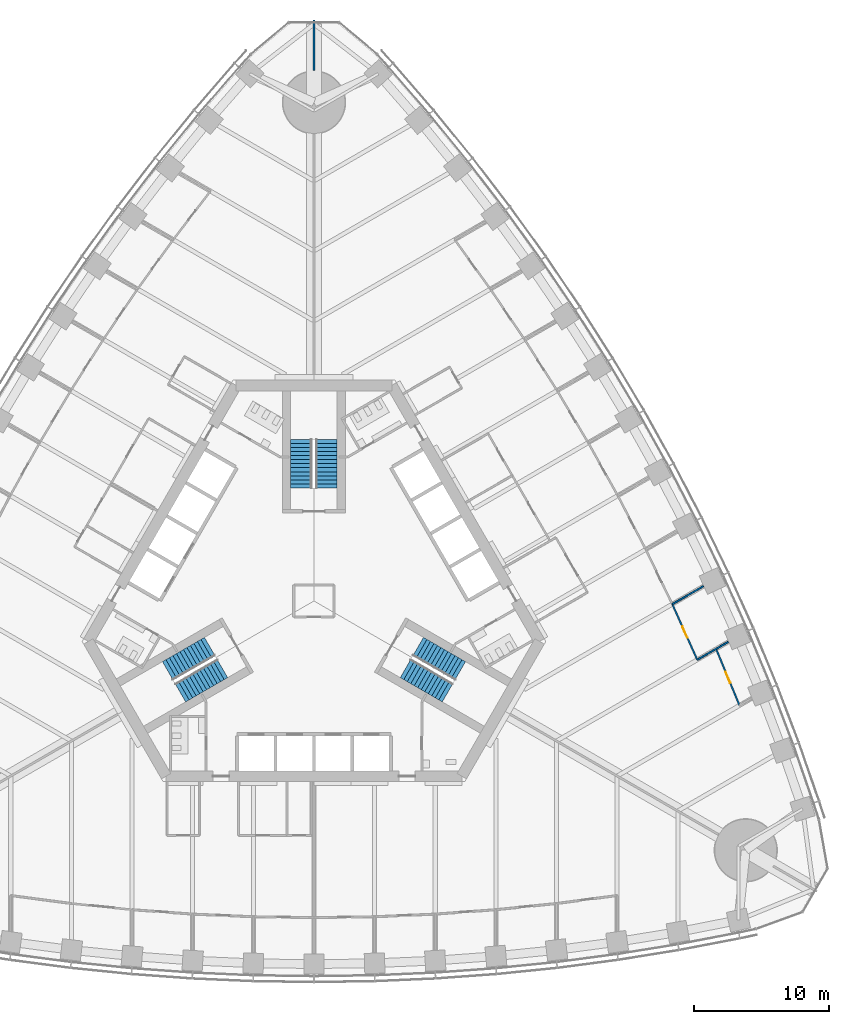
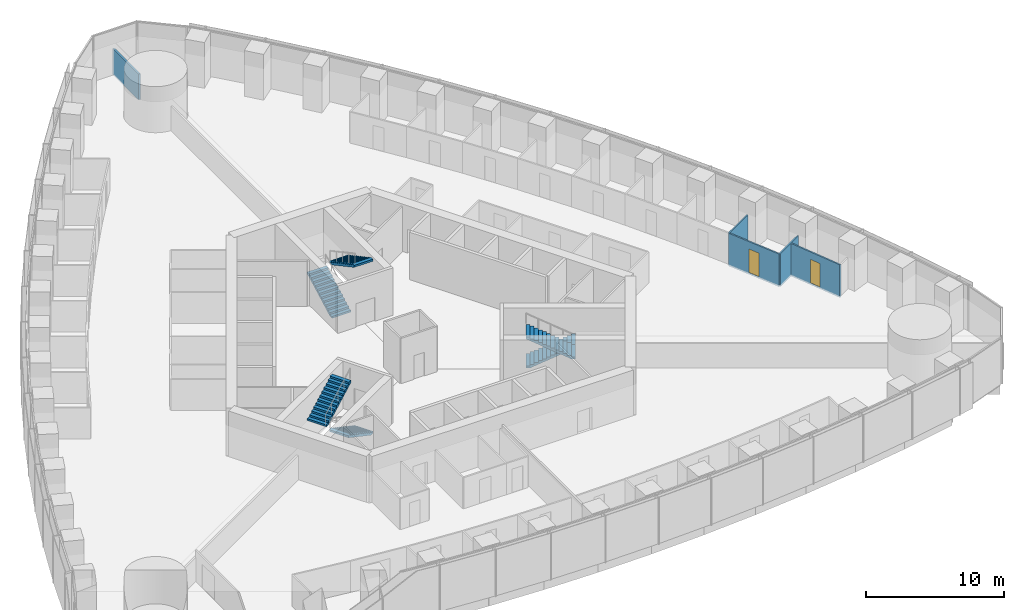
# One storey, part 14 of 19: 6 stair flights, 5 walls, 2 doors, 2 openings, 3 elements without a shape of their own.
"""IFC4 building model written with IfcOpenShell, lengths in metres."""

from ifc_helpers import new_model, si_unit, direction, frame, frame_2d, origin, place, context, subcontext, project, spatial, polyline, rectangle, outline, extrude, material, layer, layer_set, type_object, element, fill, aggregate, save


model = new_model("IFC4")

# Units and contexts
model_context = context("Model", 3, precision=1e-05, world=origin(), true_north=direction((0.0, 1.0)))
body_context = subcontext(model_context, "Body", "Model", "MODEL_VIEW")
ifc_project = project(units=[si_unit("LENGTHUNIT", "METRE"), si_unit("AREAUNIT", "SQUARE_METRE"), si_unit("VOLUMEUNIT", "CUBIC_METRE"), si_unit("PLANEANGLEUNIT", "RADIAN"), si_unit("MASSUNIT", "GRAM", prefix="KILO")], contexts=[model_context])

# Site, building, storey
site_placement = place(None, origin())
site = spatial("IfcSite", under=ifc_project, at=site_placement, CompositionType="ELEMENT")
building_placement = place(site_placement, origin())
building = spatial("IfcBuilding", under=site, at=building_placement, Name="Trefoil Bronze Tower", CompositionType="ELEMENT")
storey_placement = place(building_placement, frame((0.0, 0.0, 16.5)))
storey = spatial("IfcBuildingStorey", under=building, at=storey_placement, Name="L03", CompositionType="ELEMENT", Elevation=16.5)

# Wall, opening, door
ifc_material_1 = material(Name="Glazed partition", Category="glass")
ifc_layer_1 = layer(ifc_material_1, 0.1201171875)
ifc_layer_set_1 = layer_set([ifc_layer_1], Name="Glazed partition 120")
wall_type_1 = type_object("IfcWallType", Name="Glazed partition 120", PredefinedType="PARTITIONING", material=ifc_layer_set_1)
wall_1_placement = place(storey_placement, frame((28.44287109375, -4.363037109375, 0.0), z_axis=(0.0, 0.0, 1.0), x_axis=(-0.409495979977, 0.912311921649, 0.0)))
wall_1 = element("IfcWall", 1, at=wall_1_placement, inside=storey, type_object=wall_type_1, Name="Partition F2 L03", PredefinedType="PARTITIONING", context=body_context, shape_type="SweptSolid", body=[
    extrude(rectangle(XDim=4.5234375, YDim=0.1201171875, at=frame_2d((2.26171875, 0.0))), origin(), (0.0, 0.0, 1.0), 2.89990234375),
])
opening_1_placement = place(wall_1_placement, frame((1.800048828125, 0.0, 0.14990234375)))
opening_1 = element("IfcOpeningElement", 2, at=opening_1_placement, cuts=wall_1, Name="Opening D8", PredefinedType="OPENING", context=body_context, shape_type="SweptSolid", body=[
    extrude(rectangle(XDim=0.89990234375, YDim=2.10009765625, at=frame_2d((0.449951171875, 1.050048828125))), frame((0.0, 0.070068359375, 0.0), z_axis=(0.0, -1.0, 0.0), x_axis=(1.0, 0.0, 0.0)), (0.0, 0.0, 1.0), 0.14013671875),
])
ifc_material_2 = material(Name="Timber door", Category="wood")
door_type = type_object("IfcDoorType", Name="Office door 900", OperationType="SINGLE_SWING_LEFT", PredefinedType="DOOR", material=ifc_material_2)
door_1_placement = place(opening_1_placement, frame((0.89990234375, 0.0, 0.0), z_axis=(0.0, 0.0, 1.0), x_axis=(-1.0, 0.0, 0.0)))
door_1 = element("IfcDoor", 3, at=door_1_placement, inside=storey, type_object=door_type, Name="Office door F2 L03", OperationType="SINGLE_SWING_RIGHT", OverallHeight=2.10009765625, OverallWidth=0.89990234375, PredefinedType="DOOR", context=body_context, shape_type="SweptSolid", body=[
    extrude(rectangle(XDim=0.89990234375, YDim=2.10009765625, at=frame_2d((0.449951171875, 1.050048828125))), frame((0.0, 0.02490234375, 0.0), z_axis=(0.0, -1.0, 0.0), x_axis=(1.0, 0.0, 0.0)), (0.0, 0.0, 1.0), 0.050048828125),
])
fill(opening_1, door_1)

wall_2_placement = place(storey_placement, frame((31.578125, -7.7490234375, 0.0), z_axis=(0.0, 0.0, 1.0), x_axis=(-0.38265900014, 0.923889652292, 0.0)))
wall_2 = element("IfcWall", 4, at=wall_2_placement, inside=storey, type_object=wall_type_1, Name="Partition F2 L03", PredefinedType="PARTITIONING", context=body_context, shape_type="SweptSolid", body=[
    extrude(rectangle(XDim=4.538818359375, YDim=0.1201171875, at=frame_2d((2.26953125, 0.0))), origin(), (0.0, 0.0, 1.0), 2.89990234375),
])
opening_2_placement = place(wall_2_placement, frame((1.800048828125, 0.0, 0.14990234375)))
opening_2 = element("IfcOpeningElement", 5, at=opening_2_placement, cuts=wall_2, Name="Opening D8", PredefinedType="OPENING", context=body_context, shape_type="SweptSolid", body=[
    extrude(rectangle(XDim=0.89990234375, YDim=2.10009765625, at=frame_2d((0.449951171875, 1.050048828125))), frame((0.0, 0.070068359375, 0.0), z_axis=(0.0, -1.0, 0.0), x_axis=(1.0, 0.0, 0.0)), (0.0, 0.0, 1.0), 0.14013671875),
])
door_2_placement = place(opening_2_placement, frame((0.89990234375, 0.0, 0.0), z_axis=(0.0, 0.0, 1.0), x_axis=(-1.0, 0.0, 0.0)))
door_2 = element("IfcDoor", 6, at=door_2_placement, inside=storey, type_object=door_type, Name="Comms room door F2 L03", OperationType="SINGLE_SWING_RIGHT", OverallHeight=2.10009765625, OverallWidth=0.89990234375, PredefinedType="DOOR", context=body_context, shape_type="SweptSolid", body=[
    extrude(rectangle(XDim=0.89990234375, YDim=2.10009765625, at=frame_2d((0.449951171875, 1.050048828125))), frame((0.0, 0.02490234375, 0.0), z_axis=(0.0, -1.0, 0.0), x_axis=(1.0, 0.0, 0.0)), (0.0, 0.0, 1.0), 0.050048828125),
])
fill(opening_2, door_2)

# Walls
wall_3_placement = place(storey_placement, frame((26.590576171875, -0.236328125, 0.0), z_axis=(0.0, 0.0, 1.0), x_axis=(0.866023818221, 0.500002746266, 0.0)))
element("IfcWall", 7, at=wall_3_placement, inside=storey, type_object=wall_type_1, Name="Partition F2 L03", PredefinedType="PARTITIONING", context=body_context, shape_type="SweptSolid", body=[
    extrude(rectangle(XDim=2.6640625, YDim=0.1201171875, at=frame_2d((1.33203125, 0.0))), origin(), (0.0, 0.0, 1.0), 2.89990234375),
])
wall_4_placement = place(storey_placement, frame((28.44287109375, -4.363037109375, 0.0), z_axis=(0.0, 0.0, 1.0), x_axis=(0.866031171652, 0.499990009627, 0.0)))
element("IfcWall", 8, at=wall_4_placement, inside=storey, type_object=wall_type_1, Name="Partition F2 L03", PredefinedType="PARTITIONING", context=body_context, shape_type="SweptSolid", body=[
    extrude(rectangle(XDim=2.6591796875, YDim=0.1201171875, at=frame_2d((1.32958984375, 0.0))), origin(), (0.0, 0.0, 1.0), 2.89990234375),
])
ifc_material_3 = material(Name="Gypsum board on steel studs", Category="steel")
ifc_layer_2 = layer(ifc_material_3, 0.14990234375)
ifc_layer_set_2 = layer_set([ifc_layer_2], Name="Party wall 150")
wall_type_2 = type_object("IfcWallType", Name="Party wall 150", PredefinedType="PARTITIONING", material=ifc_layer_set_2)
wall_5_placement = place(storey_placement, frame((0.0, 39.35009765625, 0.0), z_axis=(0.0, 0.0, 1.0), x_axis=(0.0, 1.0, 0.0)))
element("IfcWall", 9, at=wall_5_placement, inside=storey, type_object=wall_type_2, Name="Party wall K2 L03", PredefinedType="PARTITIONING", context=body_context, shape_type="SweptSolid", body=[
    extrude(rectangle(XDim=3.763916015625, YDim=0.14990234375, at=frame_2d((1.8818359375, 0.0))), origin(), (0.0, 0.0, 1.0), 2.300048828125),
])

# Stair, stair flights
ifc_material_4 = material(Name="Precast concrete B80", Category="concrete")
stair_type = type_object("IfcStairType", Name="Exit stair 26 risers", PredefinedType="HALF_TURN_STAIR", material=ifc_material_4)
stair_1_placement = place(storey_placement, origin())
stair_1 = element("IfcStair", 10, at=stair_1_placement, inside=storey, type_object=stair_type, Name="Stair ST1 L03", PredefinedType="HALF_TURN_STAIR")
ifc_material_5 = material(Name="Precast concrete B80", Category="concrete")
stair_flight_type = type_object("IfcStairFlightType", Name="Stair flight 1600", PredefinedType="STRAIGHT", material=ifc_material_5)
stair_flight_1_placement = place(storey_placement, frame((7.728515625, -3.39404296875, 0.0), z_axis=(0.0, 0.0, 1.0), x_axis=(0.866025403784, -0.5, 0.0)))
stair_flight_1 = element("IfcStairFlight", 11, at=stair_flight_1_placement, type_object=stair_flight_type, Name="ST1 flight 1", NumberOfRisers=13, NumberOfTreads=12, PredefinedType="STRAIGHT", RiserHeight=0.161538462, TreadLength=0.3, context=body_context, shape_type="SweptSolid", body=[
    extrude(outline(polyline([(0.0, 0.0), (0.0, 0.16162109375), (0.300048828125, 0.16162109375), (0.300048828125, 0.322998046875), (0.60009765625, 0.322998046875), (0.60009765625, 0.484619140625), (0.89990234375, 0.484619140625), (0.89990234375, 0.646240234375), (1.199951171875, 0.646240234375), (1.199951171875, 0.8076171875), (1.5, 0.8076171875), (1.5, 0.96923828125), (1.800048828125, 0.96923828125), (1.800048828125, 1.130859375), (2.10009765625, 1.130859375), (2.10009765625, 1.292236328125), (2.39990234375, 1.292236328125), (2.39990234375, 1.453857421875), (2.699951171875, 1.453857421875), (2.699951171875, 1.615478515625), (3.0, 1.615478515625), (3.0, 1.77685546875), (3.300048828125, 1.77685546875), (3.300048828125, 1.9384765625), (3.60009765625, 1.9384765625), (3.60009765625, 2.10009765625), (3.60009765625, 1.768310546875), (0.316162109375, 0.0), (0.0, 0.0)])), frame((0.0, 0.800048828125, 0.0), z_axis=(0.0, -1.0, 0.0), x_axis=(1.0, 0.0, 0.0)), (0.0, 0.0, 1.0), 1.60009765625),
])
stair_flight_2_placement = place(storey_placement, frame((9.921142578125, -6.796142578125, 2.10009765625), z_axis=(0.0, 0.0, 1.0), x_axis=(-0.866025403784, 0.5, 0.0)))
stair_flight_2 = element("IfcStairFlight", 12, at=stair_flight_2_placement, type_object=stair_flight_type, Name="ST1 flight 2", NumberOfRisers=13, NumberOfTreads=12, PredefinedType="STRAIGHT", RiserHeight=0.161538462, TreadLength=0.3, context=body_context, shape_type="SweptSolid", body=[
    extrude(outline(polyline([(0.0, 0.0), (0.0, 0.16162109375), (0.300048828125, 0.16162109375), (0.300048828125, 0.322998046875), (0.60009765625, 0.322998046875), (0.60009765625, 0.484619140625), (0.89990234375, 0.484619140625), (0.89990234375, 0.646240234375), (1.199951171875, 0.646240234375), (1.199951171875, 0.8076171875), (1.5, 0.8076171875), (1.5, 0.96923828125), (1.800048828125, 0.96923828125), (1.800048828125, 1.130859375), (2.10009765625, 1.130859375), (2.10009765625, 1.292236328125), (2.39990234375, 1.292236328125), (2.39990234375, 1.453857421875), (2.699951171875, 1.453857421875), (2.699951171875, 1.615478515625), (3.0, 1.615478515625), (3.0, 1.77685546875), (3.300048828125, 1.77685546875), (3.300048828125, 1.9384765625), (3.60009765625, 1.9384765625), (3.60009765625, 2.10009765625), (3.60009765625, 1.768310546875), (0.316162109375, 0.0), (0.0, 0.0)])), frame((0.0, 0.800048828125, 0.0), z_axis=(0.0, -1.0, 0.0), x_axis=(1.0, 0.0, 0.0)), (0.0, 0.0, 1.0), 1.60009765625),
])
aggregate(stair_1, [stair_flight_1, stair_flight_2])

stair_2_placement = place(storey_placement, origin())
stair_2 = element("IfcStair", 13, at=stair_2_placement, inside=storey, type_object=stair_type, Name="Stair ST2 L03", PredefinedType="HALF_TURN_STAIR")
stair_flight_3_placement = place(storey_placement, frame((-0.925048828125, 8.389892578125, 0.0), z_axis=(0.0, 0.0, 1.0), x_axis=(0.0, 1.0, 0.0)))
stair_flight_3 = element("IfcStairFlight", 14, at=stair_flight_3_placement, type_object=stair_flight_type, Name="ST2 flight 1", NumberOfRisers=13, NumberOfTreads=12, PredefinedType="STRAIGHT", RiserHeight=0.161538462, TreadLength=0.3, context=body_context, shape_type="SweptSolid", body=[
    extrude(outline(polyline([(0.0, 0.0), (0.0, 0.16162109375), (0.300048828125, 0.16162109375), (0.300048828125, 0.322998046875), (0.60009765625, 0.322998046875), (0.60009765625, 0.484619140625), (0.89990234375, 0.484619140625), (0.89990234375, 0.646240234375), (1.199951171875, 0.646240234375), (1.199951171875, 0.8076171875), (1.5, 0.8076171875), (1.5, 0.96923828125), (1.800048828125, 0.96923828125), (1.800048828125, 1.130859375), (2.10009765625, 1.130859375), (2.10009765625, 1.292236328125), (2.39990234375, 1.292236328125), (2.39990234375, 1.453857421875), (2.699951171875, 1.453857421875), (2.699951171875, 1.615478515625), (3.0, 1.615478515625), (3.0, 1.77685546875), (3.300048828125, 1.77685546875), (3.300048828125, 1.9384765625), (3.60009765625, 1.9384765625), (3.60009765625, 2.10009765625), (3.60009765625, 1.768310546875), (0.316162109375, 0.0), (0.0, 0.0)])), frame((0.0, 0.800048828125, 0.0), z_axis=(0.0, -1.0, 0.0), x_axis=(1.0, 0.0, 0.0)), (0.0, 0.0, 1.0), 1.60009765625),
])
stair_flight_4_placement = place(storey_placement, frame((0.925048828125, 11.989990234375, 2.10009765625), z_axis=(0.0, 0.0, 1.0), x_axis=(0.0, -1.0, 0.0)))
stair_flight_4 = element("IfcStairFlight", 15, at=stair_flight_4_placement, type_object=stair_flight_type, Name="ST2 flight 2", NumberOfRisers=13, NumberOfTreads=12, PredefinedType="STRAIGHT", RiserHeight=0.161538462, TreadLength=0.3, context=body_context, shape_type="SweptSolid", body=[
    extrude(outline(polyline([(0.0, 0.0), (0.0, 0.16162109375), (0.300048828125, 0.16162109375), (0.300048828125, 0.322998046875), (0.60009765625, 0.322998046875), (0.60009765625, 0.484619140625), (0.89990234375, 0.484619140625), (0.89990234375, 0.646240234375), (1.199951171875, 0.646240234375), (1.199951171875, 0.8076171875), (1.5, 0.8076171875), (1.5, 0.96923828125), (1.800048828125, 0.96923828125), (1.800048828125, 1.130859375), (2.10009765625, 1.130859375), (2.10009765625, 1.292236328125), (2.39990234375, 1.292236328125), (2.39990234375, 1.453857421875), (2.699951171875, 1.453857421875), (2.699951171875, 1.615478515625), (3.0, 1.615478515625), (3.0, 1.77685546875), (3.300048828125, 1.77685546875), (3.300048828125, 1.9384765625), (3.60009765625, 1.9384765625), (3.60009765625, 2.10009765625), (3.60009765625, 1.768310546875), (0.316162109375, 0.0), (0.0, 0.0)])), frame((0.0, 0.800048828125, 0.0), z_axis=(0.0, -1.0, 0.0), x_axis=(1.0, 0.0, 0.0)), (0.0, 0.0, 1.0), 1.60009765625),
])
aggregate(stair_2, [stair_flight_3, stair_flight_4])

stair_3_placement = place(storey_placement, origin())
stair_3 = element("IfcStair", 16, at=stair_3_placement, inside=storey, type_object=stair_type, Name="Stair ST3 L03", PredefinedType="HALF_TURN_STAIR")
stair_flight_5_placement = place(storey_placement, frame((-6.803466796875, -4.99609375, 0.0), z_axis=(0.0, 0.0, 1.0), x_axis=(-0.866025403784, -0.5, 0.0)))
stair_flight_5 = element("IfcStairFlight", 17, at=stair_flight_5_placement, type_object=stair_flight_type, Name="ST3 flight 1", NumberOfRisers=13, NumberOfTreads=12, PredefinedType="STRAIGHT", RiserHeight=0.161538462, TreadLength=0.3, context=body_context, shape_type="SweptSolid", body=[
    extrude(outline(polyline([(0.0, 0.0), (0.0, 0.16162109375), (0.300048828125, 0.16162109375), (0.300048828125, 0.322998046875), (0.60009765625, 0.322998046875), (0.60009765625, 0.484619140625), (0.89990234375, 0.484619140625), (0.89990234375, 0.646240234375), (1.199951171875, 0.646240234375), (1.199951171875, 0.8076171875), (1.5, 0.8076171875), (1.5, 0.96923828125), (1.800048828125, 0.96923828125), (1.800048828125, 1.130859375), (2.10009765625, 1.130859375), (2.10009765625, 1.292236328125), (2.39990234375, 1.292236328125), (2.39990234375, 1.453857421875), (2.699951171875, 1.453857421875), (2.699951171875, 1.615478515625), (3.0, 1.615478515625), (3.0, 1.77685546875), (3.300048828125, 1.77685546875), (3.300048828125, 1.9384765625), (3.60009765625, 1.9384765625), (3.60009765625, 2.10009765625), (3.60009765625, 1.768310546875), (0.316162109375, 0.0), (0.0, 0.0)])), frame((0.0, 0.800048828125, 0.0), z_axis=(0.0, -1.0, 0.0), x_axis=(1.0, 0.0, 0.0)), (0.0, 0.0, 1.0), 1.60009765625),
])
stair_flight_6_placement = place(storey_placement, frame((-10.84619140625, -5.19384765625, 2.10009765625), z_axis=(0.0, 0.0, 1.0), x_axis=(0.866025403784, 0.5, 0.0)))
stair_flight_6 = element("IfcStairFlight", 18, at=stair_flight_6_placement, type_object=stair_flight_type, Name="ST3 flight 2", NumberOfRisers=13, NumberOfTreads=12, PredefinedType="STRAIGHT", RiserHeight=0.161538462, TreadLength=0.3, context=body_context, shape_type="SweptSolid", body=[
    extrude(outline(polyline([(0.0, 0.0), (0.0, 0.16162109375), (0.300048828125, 0.16162109375), (0.300048828125, 0.322998046875), (0.60009765625, 0.322998046875), (0.60009765625, 0.484619140625), (0.89990234375, 0.484619140625), (0.89990234375, 0.646240234375), (1.199951171875, 0.646240234375), (1.199951171875, 0.8076171875), (1.5, 0.8076171875), (1.5, 0.96923828125), (1.800048828125, 0.96923828125), (1.800048828125, 1.130859375), (2.10009765625, 1.130859375), (2.10009765625, 1.292236328125), (2.39990234375, 1.292236328125), (2.39990234375, 1.453857421875), (2.699951171875, 1.453857421875), (2.699951171875, 1.615478515625), (3.0, 1.615478515625), (3.0, 1.77685546875), (3.300048828125, 1.77685546875), (3.300048828125, 1.9384765625), (3.60009765625, 1.9384765625), (3.60009765625, 2.10009765625), (3.60009765625, 1.768310546875), (0.316162109375, 0.0), (0.0, 0.0)])), frame((0.0, 0.800048828125, 0.0), z_axis=(0.0, -1.0, 0.0), x_axis=(1.0, 0.0, 0.0)), (0.0, 0.0, 1.0), 1.60009765625),
])
aggregate(stair_3, [stair_flight_5, stair_flight_6])

save(model, "model.ifc")
